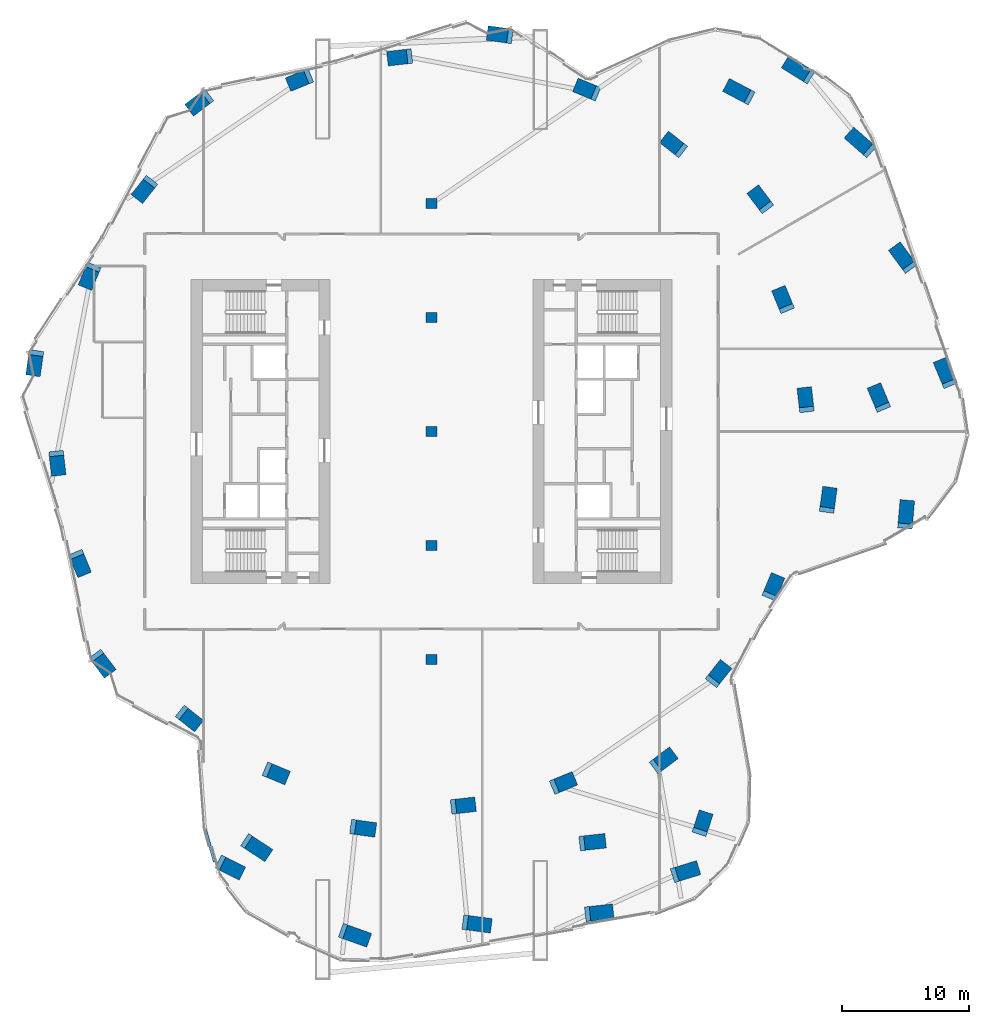
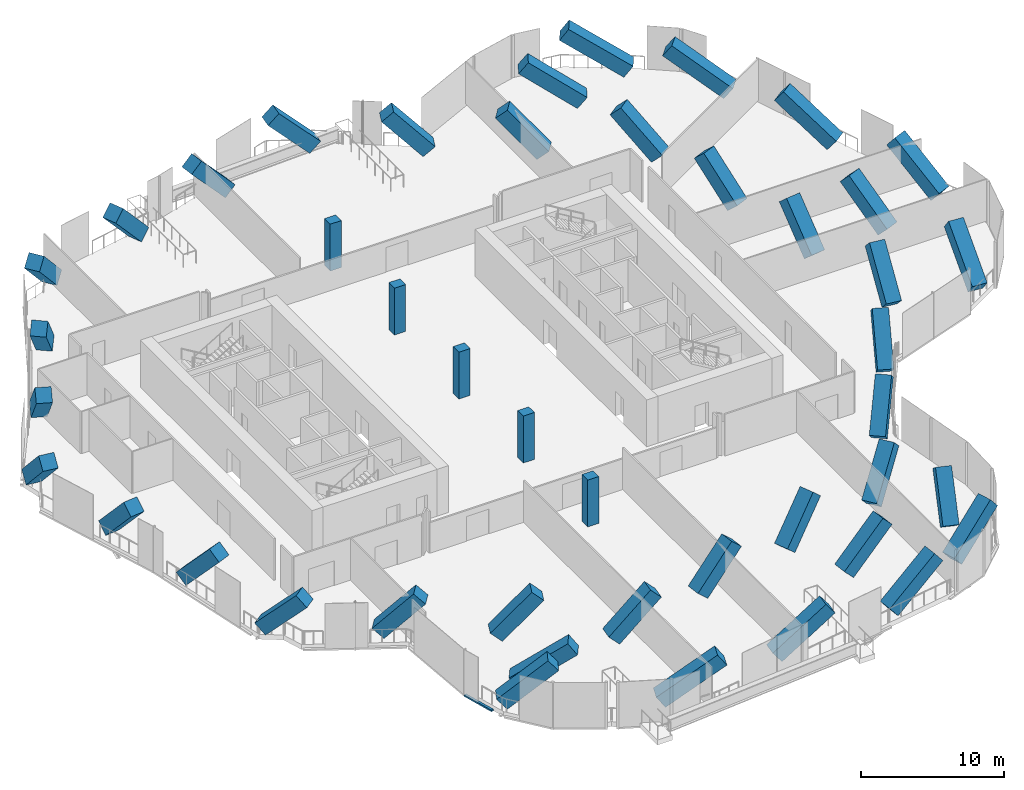
# One storey, part 1 of 26: 44 columns, 1 member, 1 element without a shape of its own.
"""IFC4 building model written with IfcOpenShell, lengths in metres."""

from ifc_helpers import new_model, si_unit, direction, frame, origin, origin_2d, place, context, subcontext, project, spatial, rectangle, extrude, material, material_profile, profile_set, type_object, element, aggregate, save


model = new_model("IFC4")

# Units and contexts
model_context = context("Model", 3, precision=1e-05, world=origin(), true_north=direction((0.0, 1.0)))
body_context = subcontext(model_context, "Body", "Model", "MODEL_VIEW")
ifc_project = project(units=[si_unit("LENGTHUNIT", "METRE"), si_unit("AREAUNIT", "SQUARE_METRE"), si_unit("VOLUMEUNIT", "CUBIC_METRE"), si_unit("PLANEANGLEUNIT", "RADIAN"), si_unit("MASSUNIT", "GRAM", prefix="KILO")], contexts=[model_context])

# Site, building, storey
site_placement = place(None, origin())
site = spatial("IfcSite", under=ifc_project, at=site_placement, CompositionType="ELEMENT")
building_placement = place(site_placement, origin())
building = spatial("IfcBuilding", under=site, at=building_placement, Name="Orlundy Tower", CompositionType="ELEMENT")
storey_placement = place(building_placement, frame((0.0, 0.0, 249.5)))
storey = spatial("IfcBuildingStorey", under=building, at=storey_placement, Name="L66", CompositionType="ELEMENT", Elevation=249.5)

# Columns
ifc_material_1 = material(Name="Concrete C60/75", Category="concrete")
ifc_material_profile_1 = material_profile(ifc_material_1, rectangle(XDim=1.14990234375, YDim=1.14990234375, at=origin_2d()), Name="RC1150X1150")
ifc_profile_set_1 = profile_set([ifc_material_profile_1], Name="Concrete C60/75")
column_type_1 = type_object("IfcColumnType", Name="RC COLUMN RC1150X1150 C60/75", PredefinedType="COLUMN", material=ifc_profile_set_1)
column_1_placement = place(storey_placement, frame((37.423095703125, -7.302001953125, 0.451416015625), z_axis=(0.066979800037, 0.782277198102, 0.619319054863), x_axis=(-0.996354505361, 0.085309434683, 0.0)))
element("IfcColumn", 1, at=column_1_placement, inside=storey, type_object=column_type_1, Name="Column C-A1-1 L66 strut", PredefinedType="COLUMN", context=body_context, shape_type="SweptSolid", body=[
    extrude(rectangle(XDim=1.14990234375, YDim=1.14990234375, at=origin_2d()), origin(), (0.0, 0.0, 1.0), 5.0009765625),
])
column_2_placement = place(storey_placement, frame((40.873046875, 3.93798828125, 0.449951171875), z_axis=(-0.300545650482, 0.722378734652, 0.622769038809), x_axis=(-0.92327894359, -0.384130176273, 0.0)))
element("IfcColumn", 2, at=column_2_placement, inside=storey, type_object=column_type_1, Name="Column C-A2-5 L66 strut", PredefinedType="COLUMN", context=body_context, shape_type="SweptSolid", body=[
    extrude(rectangle(XDim=1.14990234375, YDim=1.14990234375, at=origin_2d()), origin(), (0.0, 0.0, 1.0), 4.97802734375),
])
column_3_placement = place(storey_placement, frame((35.5830078125, 2.09912109375, 0.41748046875), z_axis=(-0.279885982581, 0.669848427228, 0.687725905645), x_axis=(-0.922693805404, -0.38553358021, 0.0)))
element("IfcColumn", 3, at=column_3_placement, inside=storey, type_object=column_type_1, Name="Column C-A2-6 L66 strut", PredefinedType="COLUMN", context=body_context, shape_type="SweptSolid", body=[
    extrude(rectangle(XDim=1.14990234375, YDim=1.14990234375, at=origin_2d()), origin(), (0.0, 0.0, 1.0), 4.602294921875),
])
column_4_placement = place(storey_placement, frame((37.68798828125, 13.10009765625, 0.4560546875), z_axis=(-0.47045803645, 0.638482203629, 0.609105665372), x_axis=(-0.805057363587, -0.593196966728, 0.0)))
element("IfcColumn", 4, at=column_4_placement, inside=storey, type_object=column_type_1, Name="Column C-A3-5 L66 strut", PredefinedType="COLUMN", context=body_context, shape_type="SweptSolid", body=[
    extrude(rectangle(XDim=1.14990234375, YDim=1.14990234375, at=origin_2d()), origin(), (0.0, 0.0, 1.0), 5.069580078125),
])
column_5_placement = place(storey_placement, frame((34.50390625, 22.261962890625, 0.470703125), z_axis=(-0.614931022155, 0.540391150228, 0.574314585176), x_axis=(-0.660112692745, -0.75116658131, 0.0)))
element("IfcColumn", 5, at=column_5_placement, inside=storey, type_object=column_type_1, Name="Column C-A4-5 L66 strut", PredefinedType="COLUMN", context=body_context, shape_type="SweptSolid", body=[
    extrude(rectangle(XDim=1.14990234375, YDim=1.14990234375, at=origin_2d()), origin(), (0.0, 0.0, 1.0), 5.32568359375),
])
column_6_placement = place(storey_placement, frame((29.7119140625, 28.10595703125, 0.476318359375), z_axis=(-0.703618609641, 0.437029077095, 0.560291386637), x_axis=(-0.527624545502, -0.849477685984, 0.0)))
element("IfcColumn", 6, at=column_6_placement, inside=storey, type_object=column_type_1, Name="Column C-A5-5 L66 strut", PredefinedType="COLUMN", context=body_context, shape_type="SweptSolid", body=[
    extrude(rectangle(XDim=1.14990234375, YDim=1.14990234375, at=origin_2d()), origin(), (0.0, 0.0, 1.0), 5.43896484375),
])
column_7_placement = place(storey_placement, frame((24.989990234375, 26.465087890625, 0.46044921875), z_axis=(-0.708609509413, 0.373062344589, 0.598913224281), x_axis=(-0.465853965343, -0.88486161798, 0.0)))
element("IfcColumn", 7, at=column_7_placement, inside=storey, type_object=column_type_1, Name="Column C-A5-6 L66 strut", PredefinedType="COLUMN", context=body_context, shape_type="SweptSolid", body=[
    extrude(rectangle(XDim=1.14990234375, YDim=1.14990234375, at=origin_2d()), origin(), (0.0, 0.0, 1.0), 5.14111328125),
])
column_8_placement = place(storey_placement, frame((-16.4970703125, -34.132080078125, 0.43408203125), z_axis=(0.675133840244, -0.337413503858, 0.656007945967), x_axis=(0.447050974841, 0.894508482852, 0.0)))
element("IfcColumn", 8, at=column_8_placement, inside=storey, type_object=column_type_1, Name="Column C-B1-1 L66 strut", PredefinedType="COLUMN", context=body_context, shape_type="SweptSolid", body=[
    extrude(rectangle(XDim=1.14990234375, YDim=1.14990234375, at=origin_2d()), origin(), (0.0, 0.0, 1.0), 4.774169921875),
])
column_9_placement = place(storey_placement, frame((-14.47509765625, -32.430908203125, 0.46044921875), z_axis=(0.669891497801, -0.438822381171, 0.598899239403), x_axis=(0.547963308226, 0.836502368698, 0.0)))
element("IfcColumn", 9, at=column_9_placement, inside=storey, type_object=column_type_1, Name="Column C-B1-6 L66 strut", PredefinedType="COLUMN", context=body_context, shape_type="SweptSolid", body=[
    extrude(rectangle(XDim=1.14990234375, YDim=1.14990234375, at=origin_2d()), origin(), (0.0, 0.0, 1.0), 5.141357421875),
])
column_10_placement = place(storey_placement, frame((-6.847900390625, -39.501953125, 0.470703125), z_axis=(0.770816167691, -0.275658238154, 0.574330019557), x_axis=(0.33673369505, 0.941599924925, 0.0)))
element("IfcColumn", 10, at=column_10_placement, inside=storey, type_object=column_type_1, Name="Column C-B2-5 L66 strut", PredefinedType="COLUMN", context=body_context, shape_type="SweptSolid", body=[
    extrude(rectangle(XDim=1.14990234375, YDim=1.14990234375, at=origin_2d()), origin(), (0.0, 0.0, 1.0), 5.325439453125),
])
column_11_placement = place(storey_placement, frame((2.825927734375, -38.797119140625, 0.4560546875), z_axis=(0.786568500033, -0.101938507167, 0.609030816554), x_axis=(0.128524174977, 0.991706376125, 0.0)))
element("IfcColumn", 11, at=column_11_placement, inside=storey, type_object=column_type_1, Name="Column C-B3-5 L66 strut", PredefinedType="COLUMN", context=body_context, shape_type="SweptSolid", body=[
    extrude(rectangle(XDim=1.14990234375, YDim=1.14990234375, at=origin_2d()), origin(), (0.0, 0.0, 1.0), 5.070068359375),
])
column_12_placement = place(storey_placement, frame((12.5009765625, -38.092041015625, 0.449951171875), z_axis=(0.777565624082, 0.087387862141, 0.622699816763), x_axis=(-0.111683370806, 0.99374384259, 0.0)))
element("IfcColumn", 12, at=column_12_placement, inside=storey, type_object=column_type_1, Name="Column C-B4-5 L66 strut", PredefinedType="COLUMN", context=body_context, shape_type="SweptSolid", body=[
    extrude(rectangle(XDim=1.14990234375, YDim=1.14990234375, at=origin_2d()), origin(), (0.0, 0.0, 1.0), 4.978515625),
])
column_13_placement = place(storey_placement, frame((12.093994140625, -32.507080078125, 0.41748046875), z_axis=(0.721585195661, 0.079993418735, 0.687688780163), x_axis=(-0.110182921379, 0.993911325942, 0.0)))
element("IfcColumn", 13, at=column_13_placement, inside=storey, type_object=column_type_1, Name="Column C-B4-6 L66 strut", PredefinedType="COLUMN", context=body_context, shape_type="SweptSolid", body=[
    extrude(rectangle(XDim=1.14990234375, YDim=1.14990234375, at=origin_2d()), origin(), (0.0, 0.0, 1.0), 4.6025390625),
])
column_14_placement = place(storey_placement, frame((21.27001953125, -31.3798828125, 0.352294921875), z_axis=(0.189937639845, 0.58251836585, 0.790313891069), x_axis=(-0.950736574656, 0.309999944535, 0.0)))
element("IfcColumn", 14, at=column_14_placement, inside=storey, type_object=column_type_1, Name="Column C-B5-1 L66 strut", PredefinedType="COLUMN", context=body_context, shape_type="SweptSolid", body=[
    extrude(rectangle(XDim=1.14990234375, YDim=1.14990234375, at=origin_2d()), origin(), (0.0, 0.0, 1.0), 4.169677734375),
])
column_15_placement = place(storey_placement, frame((19.385986328125, -34.97705078125, 0.439453125), z_axis=(0.729548166665, 0.2273562514, 0.645033803351), x_axis=(-0.297526729349, 0.954713488604, 0.0)))
element("IfcColumn", 15, at=column_15_placement, inside=storey, type_object=column_type_1, Name="Column C-B5-5 L66 strut", PredefinedType="COLUMN", context=body_context, shape_type="SweptSolid", body=[
    extrude(rectangle(XDim=1.14990234375, YDim=1.14990234375, at=origin_2d()), origin(), (0.0, 0.0, 1.0), 4.838623046875),
])
column_16_placement = place(storey_placement, frame((5.98095703125, 31.2548828125, 0.403564453125), z_axis=(-0.694977329314, 0.097772890204, 0.712353124286), x_axis=(-0.139313100362, -0.990248383017, 0.0)))
element("IfcColumn", 16, at=column_16_placement, inside=storey, type_object=column_type_1, Name="Column C-H01 L66 strut", PredefinedType="COLUMN", context=body_context, shape_type="SweptSolid", body=[
    extrude(rectangle(XDim=1.14990234375, YDim=1.14990234375, at=origin_2d()), origin(), (0.0, 0.0, 1.0), 4.482177734375),
])
column_17_placement = place(storey_placement, frame((12.763916015625, 26.7939453125, 0.386962890625), z_axis=(-0.621000765184, 0.258936940045, 0.739803832595), x_axis=(-0.384851711458, -0.922978418051, 0.0)))
element("IfcColumn", 17, at=column_17_placement, inside=storey, type_object=column_type_1, Name="Column C-H02 L66 strut", PredefinedType="COLUMN", context=body_context, shape_type="SweptSolid", body=[
    extrude(rectangle(XDim=1.14990234375, YDim=1.14990234375, at=origin_2d()), origin(), (0.0, 0.0, 1.0), 4.360595703125),
])
column_18_placement = place(storey_placement, frame((19.547119140625, 22.3330078125, 0.386962890625), z_axis=(-0.527634930995, 0.417573363426, 0.739752570628), x_axis=(-0.620577206396, -0.784145350621, 0.0)))
element("IfcColumn", 18, at=column_18_placement, inside=storey, type_object=column_type_1, Name="Column C-H03 L66 strut", PredefinedType="COLUMN", context=body_context, shape_type="SweptSolid", body=[
    extrude(rectangle(XDim=1.14990234375, YDim=1.14990234375, at=origin_2d()), origin(), (0.0, 0.0, 1.0), 4.361083984375),
])
column_19_placement = place(storey_placement, frame((26.330078125, 17.87109375, 0.403564453125), z_axis=(-0.42232185302, 0.560608567596, 0.712293679882), x_axis=(-0.798722470591, -0.601699605262, 0.0)))
element("IfcColumn", 19, at=column_19_placement, inside=storey, type_object=column_type_1, Name="Column C-H04 L66 strut", PredefinedType="COLUMN", context=body_context, shape_type="SweptSolid", body=[
    extrude(rectangle(XDim=1.14990234375, YDim=1.14990234375, at=origin_2d()), origin(), (0.0, 0.0, 1.0), 4.482421875),
])
for number, where, z_axis, x_axis, name in (
    (20, (27.971923828125, 9.9208984375, 0.386962890625), (-0.256135090806, 0.622170330957, 0.739796522386), (-0.924705668384, -0.380682842874, 0.0), "Column C-H05 L66 strut"),
    (21, (29.613037109375, 1.969970703125, 0.38671875), (-0.077761748202, 0.668224785124, 0.739884279507), (-0.99329694062, -0.115590604099, 0.0), "Column C-H06 L66 strut"),
):
    element("IfcColumn", number, at=place(storey_placement, frame(where, z_axis=z_axis, x_axis=x_axis)), inside=storey, type_object=column_type_1, Name=name, PredefinedType="COLUMN", context=body_context, shape_type="SweptSolid", body=[
        extrude(rectangle(XDim=1.14990234375, YDim=1.14990234375, at=origin_2d()), origin(), (0.0, 0.0, 1.0), 4.36083984375),
    ])
column_20_placement = place(storey_placement, frame((31.2548828125, -5.98095703125, 0.403564453125), z_axis=(0.097772890204, 0.694977329314, 0.712353124286), x_axis=(-0.990248383017, 0.139313100362, 0.0)))
element("IfcColumn", 22, at=column_20_placement, inside=storey, type_object=column_type_1, Name="Column C-H07 L66 strut", PredefinedType="COLUMN", context=body_context, shape_type="SweptSolid", body=[
    extrude(rectangle(XDim=1.14990234375, YDim=1.14990234375, at=origin_2d()), origin(), (0.0, 0.0, 1.0), 4.482177734375),
])
column_21_placement = place(storey_placement, frame((26.7939453125, -12.763916015625, 0.386962890625), z_axis=(0.258936940045, 0.621000765184, 0.739803832595), x_axis=(-0.922978418051, 0.384851711458, 0.0)))
element("IfcColumn", 23, at=column_21_placement, inside=storey, type_object=column_type_1, Name="Column C-H08 L66 strut", PredefinedType="COLUMN", context=body_context, shape_type="SweptSolid", body=[
    extrude(rectangle(XDim=1.14990234375, YDim=1.14990234375, at=origin_2d()), origin(), (0.0, 0.0, 1.0), 4.360595703125),
])
column_22_placement = place(storey_placement, frame((22.3330078125, -19.547119140625, 0.386962890625), z_axis=(0.417573363426, 0.527634930995, 0.739752570628), x_axis=(-0.784145350621, 0.620577206396, 0.0)))
element("IfcColumn", 24, at=column_22_placement, inside=storey, type_object=column_type_1, Name="Column C-H09 L66 strut", PredefinedType="COLUMN", context=body_context, shape_type="SweptSolid", body=[
    extrude(rectangle(XDim=1.14990234375, YDim=1.14990234375, at=origin_2d()), origin(), (0.0, 0.0, 1.0), 4.361083984375),
])
column_23_placement = place(storey_placement, frame((17.87109375, -26.330078125, 0.403564453125), z_axis=(0.560608567596, 0.42232185302, 0.712293679882), x_axis=(-0.601699605262, 0.798722470591, 0.0)))
element("IfcColumn", 25, at=column_23_placement, inside=storey, type_object=column_type_1, Name="Column C-H10 L66 strut", PredefinedType="COLUMN", context=body_context, shape_type="SweptSolid", body=[
    extrude(rectangle(XDim=1.14990234375, YDim=1.14990234375, at=origin_2d()), origin(), (0.0, 0.0, 1.0), 4.482421875),
])
for number, where, z_axis, x_axis, name in (
    (26, (9.9208984375, -27.971923828125, 0.386962890625), (0.622170330957, 0.256135090806, 0.739796522386), (-0.380682842874, 0.924705668384, 0.0), "Column C-H11 L66 strut"),
    (27, (1.969970703125, -29.613037109375, 0.38671875), (0.668224785124, 0.077761748202, 0.739884279507), (-0.115590604099, 0.99329694062, 0.0), "Column C-H12 L66 strut"),
):
    element("IfcColumn", number, at=place(storey_placement, frame(where, z_axis=z_axis, x_axis=x_axis)), inside=storey, type_object=column_type_1, Name=name, PredefinedType="COLUMN", context=body_context, shape_type="SweptSolid", body=[
        extrude(rectangle(XDim=1.14990234375, YDim=1.14990234375, at=origin_2d()), origin(), (0.0, 0.0, 1.0), 4.36083984375),
    ])
column_24_placement = place(storey_placement, frame((-5.98095703125, -31.2548828125, 0.403564453125), z_axis=(0.694977329314, -0.097772890204, 0.712353124286), x_axis=(0.139313100362, 0.990248383017, 0.0)))
element("IfcColumn", 28, at=column_24_placement, inside=storey, type_object=column_type_1, Name="Column C-H13 L66 strut", PredefinedType="COLUMN", context=body_context, shape_type="SweptSolid", body=[
    extrude(rectangle(XDim=1.14990234375, YDim=1.14990234375, at=origin_2d()), origin(), (0.0, 0.0, 1.0), 4.482177734375),
])
column_25_placement = place(storey_placement, frame((-12.763916015625, -26.7939453125, 0.386962890625), z_axis=(0.621000765184, -0.258936940045, 0.739803832595), x_axis=(0.384851711458, 0.922978418051, 0.0)))
element("IfcColumn", 29, at=column_25_placement, inside=storey, type_object=column_type_1, Name="Column C-H14 L66 strut", PredefinedType="COLUMN", context=body_context, shape_type="SweptSolid", body=[
    extrude(rectangle(XDim=1.14990234375, YDim=1.14990234375, at=origin_2d()), origin(), (0.0, 0.0, 1.0), 4.360595703125),
])
column_26_placement = place(storey_placement, frame((-19.547119140625, -22.3330078125, 0.386962890625), z_axis=(0.527634930995, -0.417573363426, 0.739752570628), x_axis=(0.620577206396, 0.784145350621, 0.0)))
element("IfcColumn", 30, at=column_26_placement, inside=storey, type_object=column_type_1, Name="Column C-H15 L66 strut", PredefinedType="COLUMN", context=body_context, shape_type="SweptSolid", body=[
    extrude(rectangle(XDim=1.14990234375, YDim=1.14990234375, at=origin_2d()), origin(), (0.0, 0.0, 1.0), 4.361083984375),
])
column_27_placement = place(storey_placement, frame((-26.330078125, -17.87109375, 0.403564453125), z_axis=(0.42232185302, -0.560608567596, 0.712293679882), x_axis=(0.798722470591, 0.601699605262, 0.0)))
element("IfcColumn", 31, at=column_27_placement, inside=storey, type_object=column_type_1, Name="Column C-H16 L66 strut", PredefinedType="COLUMN", context=body_context, shape_type="SweptSolid", body=[
    extrude(rectangle(XDim=1.14990234375, YDim=1.14990234375, at=origin_2d()), origin(), (0.0, 0.0, 1.0), 4.482421875),
])
for number, where, z_axis, x_axis, name in (
    (32, (-27.971923828125, -9.9208984375, 0.386962890625), (0.256135090806, -0.622170330957, 0.739796522386), (0.924705668384, 0.380682842874, 0.0), "Column C-H17 L66 strut"),
    (33, (-29.613037109375, -1.969970703125, 0.38671875), (0.077761748202, -0.668224785124, 0.739884279507), (0.99329694062, 0.115590604099, 0.0), "Column C-H18 L66 strut"),
):
    element("IfcColumn", number, at=place(storey_placement, frame(where, z_axis=z_axis, x_axis=x_axis)), inside=storey, type_object=column_type_1, Name=name, PredefinedType="COLUMN", context=body_context, shape_type="SweptSolid", body=[
        extrude(rectangle(XDim=1.14990234375, YDim=1.14990234375, at=origin_2d()), origin(), (0.0, 0.0, 1.0), 4.36083984375),
    ])
column_28_placement = place(storey_placement, frame((-31.2548828125, 5.98095703125, 0.403564453125), z_axis=(-0.097772890204, -0.694977329314, 0.712353124286), x_axis=(0.990248383017, -0.139313100362, 0.0)))
element("IfcColumn", 34, at=column_28_placement, inside=storey, type_object=column_type_1, Name="Column C-H19 L66 strut", PredefinedType="COLUMN", context=body_context, shape_type="SweptSolid", body=[
    extrude(rectangle(XDim=1.14990234375, YDim=1.14990234375, at=origin_2d()), origin(), (0.0, 0.0, 1.0), 4.482177734375),
])
column_29_placement = place(storey_placement, frame((-26.7939453125, 12.763916015625, 0.386962890625), z_axis=(-0.258936940045, -0.621000765184, 0.739803832595), x_axis=(0.922978418051, -0.384851711458, 0.0)))
element("IfcColumn", 35, at=column_29_placement, inside=storey, type_object=column_type_1, Name="Column C-H20 L66 strut", PredefinedType="COLUMN", context=body_context, shape_type="SweptSolid", body=[
    extrude(rectangle(XDim=1.14990234375, YDim=1.14990234375, at=origin_2d()), origin(), (0.0, 0.0, 1.0), 4.360595703125),
])
column_30_placement = place(storey_placement, frame((-22.3330078125, 19.547119140625, 0.386962890625), z_axis=(-0.417573363426, -0.527634930995, 0.739752570628), x_axis=(0.784145350621, -0.620577206396, 0.0)))
element("IfcColumn", 36, at=column_30_placement, inside=storey, type_object=column_type_1, Name="Column C-H21 L66 strut", PredefinedType="COLUMN", context=body_context, shape_type="SweptSolid", body=[
    extrude(rectangle(XDim=1.14990234375, YDim=1.14990234375, at=origin_2d()), origin(), (0.0, 0.0, 1.0), 4.361083984375),
])
column_31_placement = place(storey_placement, frame((-17.87109375, 26.330078125, 0.403564453125), z_axis=(-0.560608567596, -0.42232185302, 0.712293679882), x_axis=(0.601699605262, -0.798722470591, 0.0)))
element("IfcColumn", 37, at=column_31_placement, inside=storey, type_object=column_type_1, Name="Column C-H22 L66 strut", PredefinedType="COLUMN", context=body_context, shape_type="SweptSolid", body=[
    extrude(rectangle(XDim=1.14990234375, YDim=1.14990234375, at=origin_2d()), origin(), (0.0, 0.0, 1.0), 4.482421875),
])
for number, where, z_axis, x_axis, name in (
    (38, (-9.9208984375, 27.971923828125, 0.386962890625), (-0.622170330957, -0.256135090806, 0.739796522386), (0.380682842874, -0.924705668384, 0.0), "Column C-H23 L66 strut"),
    (39, (-1.969970703125, 29.613037109375, 0.38671875), (-0.668224785124, -0.077761748202, 0.739884279507), (0.115590604099, -0.99329694062, 0.0), "Column C-H24 L66 strut"),
):
    element("IfcColumn", number, at=place(storey_placement, frame(where, z_axis=z_axis, x_axis=x_axis)), inside=storey, type_object=column_type_1, Name=name, PredefinedType="COLUMN", context=body_context, shape_type="SweptSolid", body=[
        extrude(rectangle(XDim=1.14990234375, YDim=1.14990234375, at=origin_2d()), origin(), (0.0, 0.0, 1.0), 4.36083984375),
    ])
ifc_material_2 = material(Name="Concrete C60/75", Category="concrete")
ifc_material_profile_2 = material_profile(ifc_material_2, rectangle(XDim=0.89990234375, YDim=0.800048828125, at=origin_2d()), Name="RC900X800")
ifc_profile_set_2 = profile_set([ifc_material_profile_2], Name="Concrete C60/75")
column_type_2 = type_object("IfcColumnType", Name="RC COLUMN RC900X800 C60/75", PredefinedType="COLUMN", material=ifc_profile_set_2)
for number, where, z_axis, x_axis, name in (
    (40, (0.0, -18.0, 0.0), (0.0, 0.0, 1.0), (1.0, 0.0, 0.0), "Column C-M1 L66"),
    (41, (0.0, -9.0, 0.0), (0.0, 0.0, 1.0), (1.0, 0.0, 0.0), "Column C-M2 L66"),
    (42, (0.0, 0.0, 0.0), (0.0, 0.0, 1.0), (1.0, 0.0, 0.0), "Column C-M3 L66"),
    (43, (0.0, 9.0, 0.0), (0.0, 0.0, 1.0), (1.0, 0.0, 0.0), "Column C-M4 L66"),
    (44, (0.0, 18.0, 0.0), (0.0, 0.0, 1.0), (1.0, 0.0, 0.0), "Column C-M5 L66"),
):
    element("IfcColumn", number, at=place(storey_placement, frame(where, z_axis=z_axis, x_axis=x_axis)), inside=storey, type_object=column_type_2, Name=name, PredefinedType="COLUMN", context=body_context, shape_type="SweptSolid", body=[
        extrude(rectangle(XDim=0.89990234375, YDim=0.800048828125, at=origin_2d()), origin(), (0.0, 0.0, 1.0), 4.0),
    ])

# Curtain wall, member
ifc_material_3 = material(Name="Aluminium bronze anodised", Category="aluminium")
curtain_wall_type = type_object("IfcCurtainWallType", Name="CW5 wall", PredefinedType="NOTDEFINED", material=ifc_material_3)
curtain_wall_placement = place(storey_placement, origin())
curtain_wall = element("IfcCurtainWall", 45, at=curtain_wall_placement, inside=storey, type_object=curtain_wall_type, Name="CW5 run 043", PredefinedType="NOTDEFINED")
ifc_material_4 = material(Name="Aluminium bronze anodised", Category="aluminium")
ifc_material_profile_3 = material_profile(ifc_material_4, rectangle(XDim=0.199951171875, YDim=0.139892578125, at=origin_2d()), Name="CW5 transom 200x140")
ifc_profile_set_3 = profile_set([ifc_material_profile_3], Name="Aluminium bronze anodised")
member_type = type_object("IfcMemberType", Name="CW5 transom 200x140", PredefinedType="USERDEFINED", material=ifc_profile_set_3)
member_placement = place(storey_placement, frame((-17.14697265625, -33.999267578125, -0.35009765625), z_axis=(-0.265783059417, 0.964032865273, 0.0), x_axis=(-0.964032865273, -0.265783059417, 0.0)))
member = element("IfcMember", 46, at=member_placement, type_object=member_type, Name="CW5 transom", ObjectType="TRANSOM", PredefinedType="USERDEFINED", context=body_context, shape_type="SweptSolid", body=[
    extrude(rectangle(XDim=0.199951171875, YDim=0.139892578125, at=origin_2d()), origin(), (0.0, 0.0, 1.0), 2.680419921875),
])
aggregate(curtain_wall, [member])

save(model, "model.ifc")
